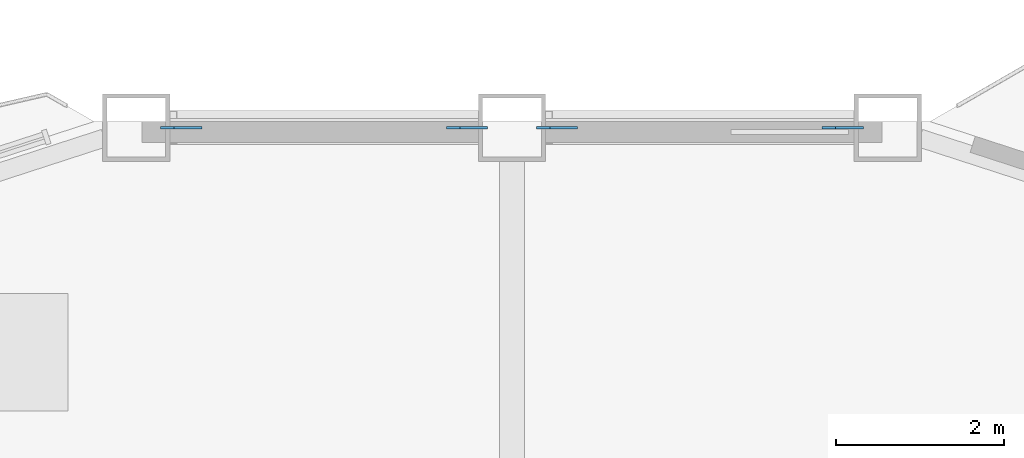
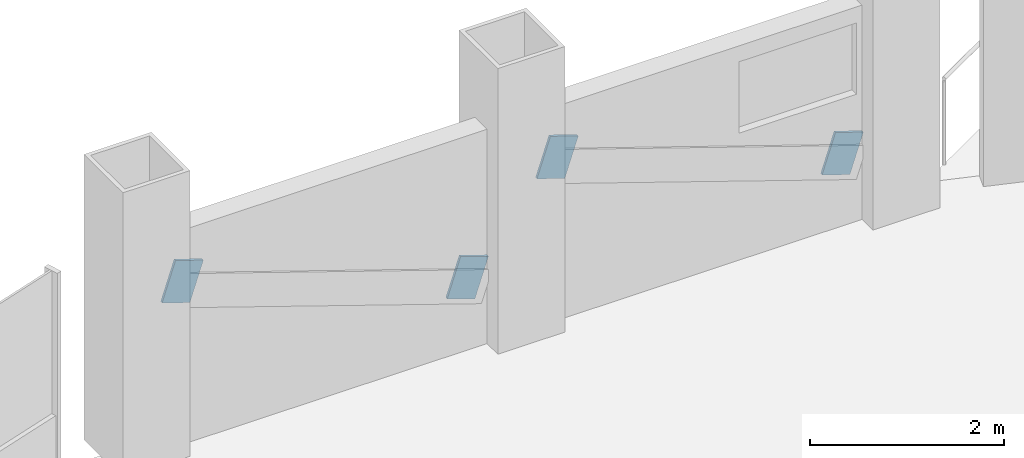
# One storey, part 18 of 23: 4 discrete accessories.
"""IFC4 building model written with IfcOpenShell, lengths in metres."""

from ifc_helpers import new_model, si_unit, direction, frame, origin, origin_2d, place, context, subcontext, project, spatial, rectangle, extrude, material, material_profile, profile_set, type_object, element, save


model = new_model("IFC4")

# Units and contexts
model_context = context("Model", 3, precision=1e-05, world=origin(), true_north=direction((0.0, 1.0)))
body_context = subcontext(model_context, "Body", "Model", "MODEL_VIEW")
ifc_project = project(units=[si_unit("LENGTHUNIT", "METRE"), si_unit("AREAUNIT", "SQUARE_METRE"), si_unit("VOLUMEUNIT", "CUBIC_METRE"), si_unit("PLANEANGLEUNIT", "RADIAN"), si_unit("MASSUNIT", "GRAM", prefix="KILO")], contexts=[model_context])

# Site, building, storey
site_placement = place(None, origin())
site = spatial("IfcSite", under=ifc_project, at=site_placement, CompositionType="ELEMENT")
building_placement = place(site_placement, origin())
building = spatial("IfcBuilding", under=site, at=building_placement, Name="Cormorant Prow Tower", CompositionType="ELEMENT")
storey_placement = place(building_placement, frame((0.0, 0.0, 180.0)))
storey = spatial("IfcBuildingStorey", under=building, at=storey_placement, Name="L38", CompositionType="ELEMENT", Elevation=180.0)

# Discrete accessories
ifc_material = material(Name="Structural steel ASTM A500 Gr C", Category="steel")
ifc_material_profile = material_profile(ifc_material, rectangle(XDim=0.031982421875, YDim=0.506103515625, at=origin_2d()), Name="Gusset plate 32x506")
ifc_profile_set = profile_set([ifc_material_profile], Name="Structural steel ASTM A500 Gr C")
discrete_accessory_type = type_object("IfcDiscreteAccessoryType", Name="Gusset plate 32x506", PredefinedType="BRACKET", material=ifc_profile_set)
for number, where, z_axis, x_axis, name in (
    (1, (3.768798828125, 32.3994140625, 0.83544921875), (0.948053578163, 0.0, -0.318110692893), (0.0, 1.0, 0.0), "Gusset plate GP2 L38.N00.g0"),
    (2, (0.701416015625, 32.3994140625, 1.865478515625), (-0.948053578163, 0.0, 0.318110692893), (0.0, -1.0, 0.0), "Gusset plate GP2 L38.N00.g1"),
    (3, (-0.701416015625, 32.3994140625, 0.83544921875), (0.948053578163, 0.0, -0.318110692893), (0.0, 1.0, 0.0), "Gusset plate GP2 L38.N01.g0"),
    (4, (-3.768798828125, 32.3994140625, 1.865478515625), (-0.948053578163, 0.0, 0.318110692893), (0.0, -1.0, 0.0), "Gusset plate GP2 L38.N01.g1"),
):
    element("IfcDiscreteAccessory", number, at=place(storey_placement, frame(where, z_axis=z_axis, x_axis=x_axis)), inside=storey, type_object=discrete_accessory_type, Name=name, PredefinedType="BRACKET", context=body_context, shape_type="SweptSolid", body=[
        extrude(rectangle(XDim=0.031982421875, YDim=0.506103515625, at=origin_2d()), origin(), (0.0, 0.0, 1.0), 0.349853515625),
    ])

save(model, "model.ifc")
